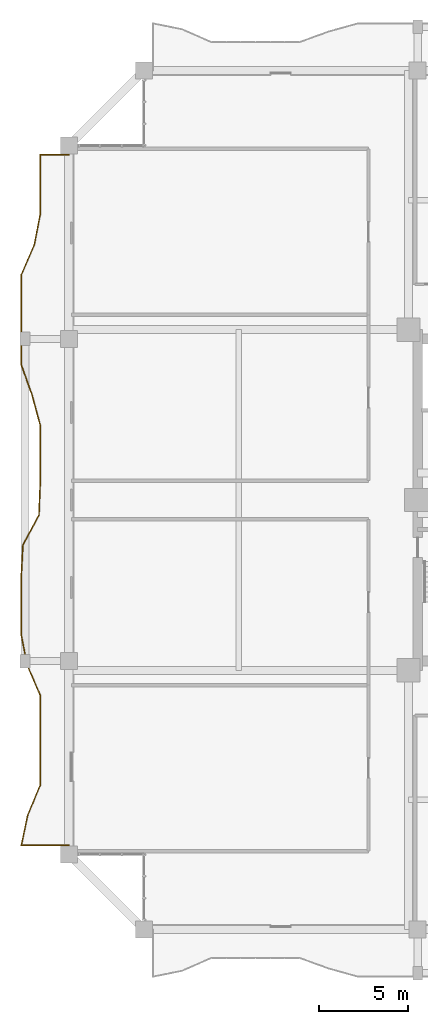
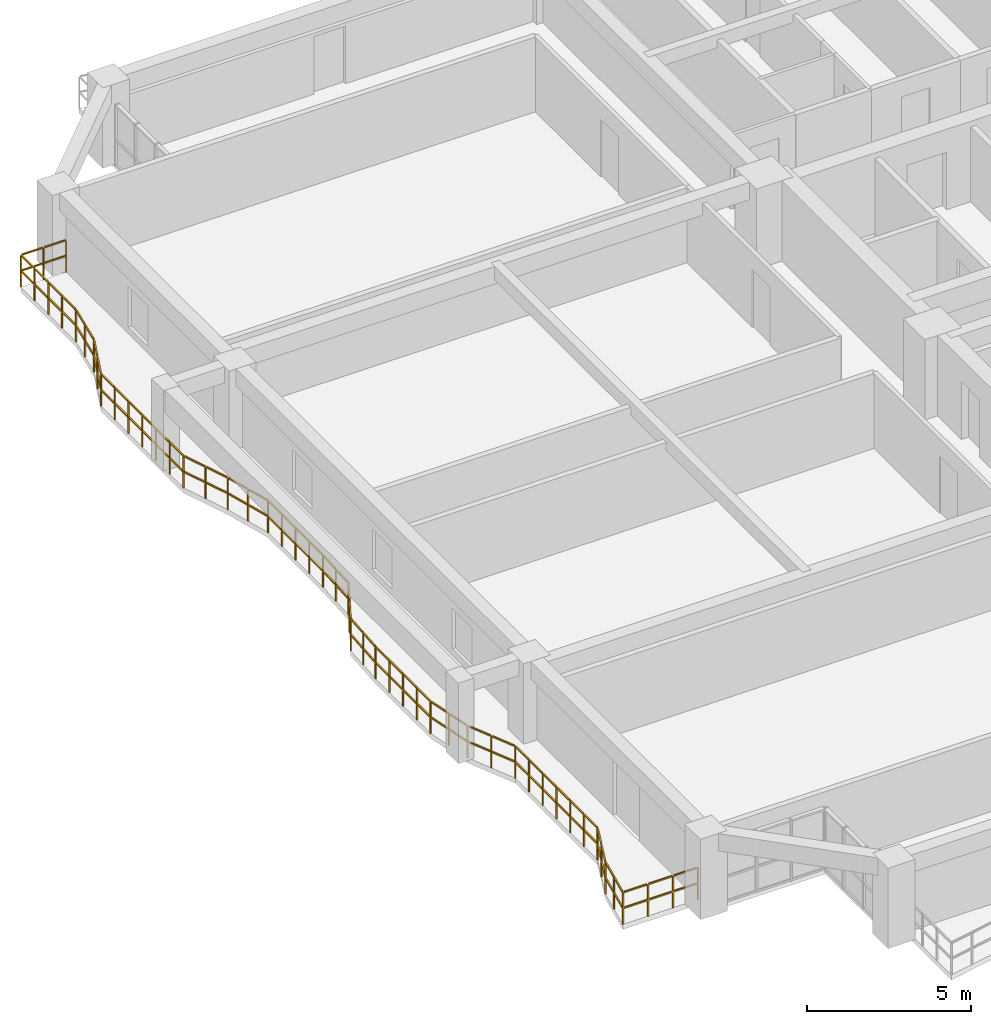
# One storey, part 21 of 24: 1 railing.
"""IFC4 building model written with IfcOpenShell, lengths in metres."""

import ifcopenshell
import ifcopenshell.guid

model = None  # the IFC model being written
_history = None  # IfcOwnerHistory: only IFC2X3 demands one
_inside = {}  # id of a spatial element -> (the spatial element, [elements in it])
_under = {}  # id of a project, library or spatial element -> (it, [spatial elements below it])
_declared = {}  # id of a project -> (the project, [libraries it declares])
_typed = {}  # id of a type object -> (the type object, [elements of that type])
_made_of = {}  # id of a material, layer set ... -> (it, [elements and type objects made of it])


def new_model(schema):
    """Start an empty IFC model of exactly this schema.

    Asked for "IFC4X3", IfcOpenShell would pick the latest addendum, in which some entities
    have other attributes; the version numbers below select the first issue.
    IFC2X3 requires an IfcOwnerHistory on every rooted entity: one is made here for all.
    """
    global model, _history
    if schema == "IFC4X3":
        model = ifcopenshell.file(schema_version=(4, 3, 0, 0))
    else:
        model = ifcopenshell.file(schema=schema)
    _inside.clear()
    _under.clear()
    _declared.clear()
    _typed.clear()
    _made_of.clear()
    _history = None
    if model.schema == "IFC2X3":
        org = make("IfcOrganization", Name="unknown")
        user = make(
            "IfcPersonAndOrganization",
            ThePerson=make("IfcPerson", FamilyName="unknown"),
            TheOrganization=org,
        )
        app = make(
            "IfcApplication",
            ApplicationDeveloper=org,
            Version="unknown",
            ApplicationFullName="unknown",
            ApplicationIdentifier="unknown",
        )
        _history = make(
            "IfcOwnerHistory",
            OwningUser=user,
            OwningApplication=app,
            ChangeAction="ADDED",
            CreationDate=0,
        )
    return model


def make(cls, **values):
    """One entity of the class cls with the attributes given. An attribute that is None is left unset."""
    return model.create_entity(
        cls, **{name: value for name, value in values.items() if value is not None}
    )


def rooted(cls, **values):
    """An entity with a GlobalId (a new one), such as an element, a storey or a relation."""
    return make(cls, GlobalId=ifcopenshell.guid.new(), OwnerHistory=_history, **values)


def si_unit(unit_type, name, prefix=None):
    """IfcSIUnit, for example si_unit("LENGTHUNIT", "METRE", prefix="MILLI")."""
    return make("IfcSIUnit", UnitType=unit_type, Prefix=prefix, Name=name)


def assignment(units):
    """IfcUnitAssignment: the units of a project."""
    return None if units is None else make("IfcUnitAssignment", Units=units)


def point(xyz):
    """IfcCartesianPoint."""
    return None if xyz is None else make("IfcCartesianPoint", Coordinates=xyz)


def direction(xyz):
    """IfcDirection."""
    return None if xyz is None else make("IfcDirection", DirectionRatios=xyz)


def frame(location, z_axis=None, x_axis=None):
    """IfcAxis2Placement3D, a coordinate frame: its origin and axes. An axis left out is left unset."""
    return make(
        "IfcAxis2Placement3D",
        Location=point(location),
        Axis=direction(z_axis),
        RefDirection=direction(x_axis),
    )


def frame_2d(location, x_axis=None):
    """IfcAxis2Placement2D, a coordinate frame in the plane: its origin and x axis."""
    return make(
        "IfcAxis2Placement2D", Location=point(location), RefDirection=direction(x_axis)
    )


def origin():
    """The frame at (0, 0, 0) with its axes left unset."""
    return frame((0.0, 0.0, 0.0))


def origin_2d():
    """The frame at (0, 0) in the plane with its x axis left unset."""
    return frame_2d((0.0, 0.0))


def place(relative_to, where):
    """IfcLocalPlacement: puts the frame where relative to a parent placement (None: the world)."""
    return make(
        "IfcLocalPlacement", PlacementRelTo=relative_to, RelativePlacement=where
    )


def context(
    kind, dimensions, precision=None, world=None, true_north=None, identifier=None
):
    """IfcGeometricRepresentationContext, for example the 3D "Model" context."""
    return make(
        "IfcGeometricRepresentationContext",
        ContextIdentifier=identifier,
        ContextType=kind,
        CoordinateSpaceDimension=dimensions,
        Precision=precision,
        WorldCoordinateSystem=world,
        TrueNorth=true_north,
    )


def subcontext(parent, identifier, kind, view, scale=None):
    """IfcGeometricRepresentationSubContext, for example "Body" below "Model"."""
    return make(
        "IfcGeometricRepresentationSubContext",
        ContextIdentifier=identifier,
        ContextType=kind,
        ParentContext=parent,
        TargetScale=scale,
        TargetView=view,
    )


def project(units=None, contexts=None):
    """IfcProject with its units and contexts."""
    return rooted(
        "IfcProject",
        Name="project",
        RepresentationContexts=contexts,
        UnitsInContext=assignment(units),
    )


def spatial(cls, under=None, at=None, **own):
    """A site, building, storey or space (cls), placed at a placement, below another one or the project."""
    s = rooted(cls, ObjectPlacement=at, **own)
    if under is not None:
        _under.setdefault(under.id(), (under, []))[1].append(s)
    return s


def profile(cls, at=None, kind="AREA", **sizes):
    """A parametric profile (cls). Its sizes go by their IFC names, for example OverallWidth=200.0."""
    return make(cls, ProfileType=kind, Position=at, **sizes)


def rectangle(**sizes):
    """IfcRectangleProfileDef."""
    return profile("IfcRectangleProfileDef", **sizes)


def extrude(swept, where, along, depth):
    """IfcExtrudedAreaSolid: the profile swept, set in the frame where, extruded along a direction by depth."""
    return make(
        "IfcExtrudedAreaSolid",
        SweptArea=swept,
        Position=where,
        ExtrudedDirection=direction(along),
        Depth=depth,
    )


def shape(context_of_items, identifier, shape_type, items):
    """IfcShapeRepresentation: the items that make up one representation, for example the "Body"."""
    return make(
        "IfcShapeRepresentation",
        ContextOfItems=context_of_items,
        RepresentationIdentifier=identifier,
        RepresentationType=shape_type,
        Items=items,
    )


def material(Name=None, Category=None):
    """IfcMaterial."""
    return make("IfcMaterial", Name=Name, Category=Category)


def made_of(thing, what):
    """Note that an element or type object is made of a material, layer set ...; save() writes the relation."""
    if what is not None:
        _made_of.setdefault(what.id(), (what, []))[1].append(thing)
    return thing


def type_object(cls, material=None, **own):
    """A type object (cls), such as IfcWallType, which elements share."""
    return made_of(rooted(cls, **own), material)


def element(
    cls,
    number,
    at=None,
    inside=None,
    cuts=None,
    type_object=None,
    material=None,
    context=None,
    identifier="Body",
    shape_type=None,
    held_by="IfcProductDefinitionShape",
    body=None,
    shapes=None,
    **own,
):
    """One element of the class cls, such as IfcWall. Its Tag is "e" and its number.

    at: its placement. inside: the storey or other place that contains it. cuts: it is an
    opening in that element (IfcRelVoidsElement). A single representation is given by context,
    identifier, shape_type and body (its items); several are given by shapes. held_by: the class
    of the entity that holds the representations. save() writes the other relations.
    """
    e = rooted(cls, Tag="e%d" % number, ObjectPlacement=at, **own)
    if body is not None:
        shapes = [shape(context, identifier, shape_type, body)]
    if shapes is not None:
        e.Representation = make(held_by, Representations=shapes)
    if inside is not None:
        _inside.setdefault(inside.id(), (inside, []))[1].append(e)
    if cuts is not None:
        rooted(
            "IfcRelVoidsElement", RelatingBuildingElement=cuts, RelatedOpeningElement=e
        )
    if type_object is not None:
        _typed.setdefault(type_object.id(), (type_object, []))[1].append(e)
    return made_of(e, material)


def aggregate(whole, parts):
    """IfcRelAggregates: a whole, such as a stair, and the parts it consists of."""
    return rooted("IfcRelAggregates", RelatingObject=whole, RelatedObjects=parts)


def save(model, path):
    """Write the relations noted so far, then the file.

    IfcRelAggregates (storeys below a building ...), IfcRelContainedInSpatialStructure (elements
    in a storey), IfcRelDefinesByType, IfcRelAssociatesMaterial and IfcRelDeclares: one each for
    every whole, place, type object, material and project.
    """
    for whole, parts in _under.values():
        aggregate(whole, parts)
    for where, things in _inside.values():
        rooted(
            "IfcRelContainedInSpatialStructure",
            RelatedElements=things,
            RelatingStructure=where,
        )
    for kind, things in _typed.values():
        rooted("IfcRelDefinesByType", RelatedObjects=things, RelatingType=kind)
    for what, things in _made_of.values():
        rooted("IfcRelAssociatesMaterial", RelatedObjects=things, RelatingMaterial=what)
    for by, libraries in _declared.values():
        rooted("IfcRelDeclares", RelatingContext=by, RelatedDefinitions=libraries)
    model.write(path)


model = new_model("IFC4")

# Units and contexts
model_context = context("Model", 3, precision=1e-05, world=origin(), true_north=direction((0.0, 1.0)))
body_context = subcontext(model_context, "Body", "Model", "MODEL_VIEW")
ifc_project = project(units=[si_unit("LENGTHUNIT", "METRE"), si_unit("AREAUNIT", "SQUARE_METRE"), si_unit("VOLUMEUNIT", "CUBIC_METRE"), si_unit("PLANEANGLEUNIT", "RADIAN"), si_unit("MASSUNIT", "GRAM", prefix="KILO")], contexts=[model_context])

# Site, building, storey
site_placement = place(None, origin())
site = spatial("IfcSite", under=ifc_project, at=site_placement, CompositionType="ELEMENT")
building_placement = place(site_placement, origin())
building = spatial("IfcBuilding", under=site, at=building_placement, Name="Saelheon Loggia Tower", CompositionType="ELEMENT")
storey_placement = place(building_placement, frame((0.0, 0.0, 98.85009765625)))
storey = spatial("IfcBuildingStorey", under=building, at=storey_placement, Name="L31", CompositionType="ELEMENT", Elevation=98.85009765625)

# Railing
ifc_material = material(Name="Architectural Precast Concrete and Laminated Glass Guard", Category="concrete")
railing_type = type_object("IfcRailingType", Name="Guard_Loggia_RL_LOG", PredefinedType="BALUSTRADE", material=ifc_material)
railing_placement = place(storey_placement, frame((12.0, 46.300048828125, 0.0)))
element("IfcRailing", 1, at=railing_placement, inside=storey, type_object=railing_type, Name="L31 West Loggia Balustrade", PredefinedType="BALUSTRADE", context=body_context, shape_type="SweptSolid", body=[
    extrude(rectangle(XDim=0.048095703125, YDim=0.048095703125, at=origin_2d()), frame((-0.033203125, 0.0, 1.19580078125), z_axis=(-1.0, 0.0, 0.0), x_axis=(0.0, -1.0, 0.0)), (0.0, 0.0, 1.0), 0.733642578125),
    extrude(rectangle(XDim=0.048095703125, YDim=0.048095703125, at=origin_2d()), frame((-0.033203125, 0.0, 0.60986328125), z_axis=(-1.0, 0.0, 0.0), x_axis=(0.0, -1.0, 0.0)), (0.0, 0.0, 1.0), 0.733642578125),
    extrude(rectangle(XDim=0.048095703125, YDim=0.048095703125, at=origin_2d()), frame((-0.833251953125, 0.0, 1.19580078125), z_axis=(-1.0, 0.0, 0.0), x_axis=(0.0, -1.0, 0.0)), (0.0, 0.0, 1.0), 0.733642578125),
    extrude(rectangle(XDim=0.048095703125, YDim=0.048095703125, at=origin_2d()), frame((-0.833251953125, 0.0, 0.60986328125), z_axis=(-1.0, 0.0, 0.0), x_axis=(0.0, -1.0, 0.0)), (0.0, 0.0, 1.0), 0.733642578125),
    extrude(rectangle(XDim=0.048095703125, YDim=0.048095703125, at=origin_2d()), frame((-1.60009765625, -0.033203125, 1.19580078125), z_axis=(0.0, -1.0, 0.0), x_axis=(1.0, 0.0, 0.0)), (0.0, 0.0, 1.0), 0.772705078125),
    extrude(rectangle(XDim=0.048095703125, YDim=0.048095703125, at=origin_2d()), frame((-1.60009765625, -0.033203125, 0.60986328125), z_axis=(0.0, -1.0, 0.0), x_axis=(1.0, 0.0, 0.0)), (0.0, 0.0, 1.0), 0.772705078125),
    extrude(rectangle(XDim=0.048095703125, YDim=0.048095703125, at=origin_2d()), frame((-1.60009765625, -0.87255859375, 1.19580078125), z_axis=(0.0, -1.0, 0.0), x_axis=(1.0, 0.0, 0.0)), (0.0, 0.0, 1.0), 0.772705078125),
    extrude(rectangle(XDim=0.048095703125, YDim=0.048095703125, at=origin_2d()), frame((-1.60009765625, -0.87255859375, 0.60986328125), z_axis=(0.0, -1.0, 0.0), x_axis=(1.0, 0.0, 0.0)), (0.0, 0.0, 1.0), 0.772705078125),
    extrude(rectangle(XDim=0.048095703125, YDim=0.048095703125, at=origin_2d()), frame((-1.60009765625, -1.711669921875, 1.19580078125), z_axis=(0.0, -1.0, 0.0), x_axis=(1.0, 0.0, 0.0)), (0.0, 0.0, 1.0), 0.7724609375),
    extrude(rectangle(XDim=0.048095703125, YDim=0.048095703125, at=origin_2d()), frame((-1.60009765625, -1.711669921875, 0.60986328125), z_axis=(0.0, -1.0, 0.0), x_axis=(1.0, 0.0, 0.0)), (0.0, 0.0, 1.0), 0.7724609375),
    extrude(rectangle(XDim=0.048095703125, YDim=0.048095703125, at=origin_2d()), frame((-1.60009765625, -2.55078125, 1.19580078125), z_axis=(0.0, -1.0, 0.0), x_axis=(1.0, 0.0, 0.0)), (0.0, 0.0, 1.0), 0.7724609375),
    extrude(rectangle(XDim=0.048095703125, YDim=0.048095703125, at=origin_2d()), frame((-1.60009765625, -2.55078125, 0.60986328125), z_axis=(0.0, -1.0, 0.0), x_axis=(1.0, 0.0, 0.0)), (0.0, 0.0, 1.0), 0.7724609375),
    extrude(rectangle(XDim=0.048095703125, YDim=0.048095703125, at=origin_2d()), frame((-1.6064453125, -3.38916015625, 1.19580078125), z_axis=(-0.190208387004, -0.981743739228, 0.0), x_axis=(0.981743739228, -0.190208387004, 0.0)), (0.0, 0.0, 1.0), 0.788330078125),
    extrude(rectangle(XDim=0.048095703125, YDim=0.048095703125, at=origin_2d()), frame((-1.6064453125, -3.38916015625, 0.60986328125), z_axis=(-0.190208387004, -0.981743739228, 0.0), x_axis=(0.981743739228, -0.190208387004, 0.0)), (0.0, 0.0, 1.0), 0.788330078125),
    extrude(rectangle(XDim=0.048095703125, YDim=0.048095703125, at=origin_2d()), frame((-1.76904296875, -4.228271484375, 1.19580078125), z_axis=(-0.190208387004, -0.981743739228, 0.0), x_axis=(0.981743739228, -0.190208387004, 0.0)), (0.0, 0.0, 1.0), 0.788330078125),
    extrude(rectangle(XDim=0.048095703125, YDim=0.048095703125, at=origin_2d()), frame((-1.76904296875, -4.228271484375, 0.60986328125), z_axis=(-0.190208387004, -0.981743739228, 0.0), x_axis=(0.981743739228, -0.190208387004, 0.0)), (0.0, 0.0, 1.0), 0.788330078125),
    extrude(rectangle(XDim=0.048095703125, YDim=0.048095703125, at=origin_2d()), frame((-1.9384765625, -5.0654296875, 1.19580078125), z_axis=(-0.396400198959, -0.918077819286, 0.0), x_axis=(0.918077819286, -0.396400198959, 0.0)), (0.0, 0.0, 1.0), 0.847412109375),
    extrude(rectangle(XDim=0.048095703125, YDim=0.048095703125, at=origin_2d()), frame((-1.9384765625, -5.0654296875, 0.60986328125), z_axis=(-0.396400198959, -0.918077819286, 0.0), x_axis=(0.918077819286, -0.396400198959, 0.0)), (0.0, 0.0, 1.0), 0.847412109375),
    extrude(rectangle(XDim=0.048095703125, YDim=0.048095703125, at=origin_2d()), frame((-2.30078125, -5.904541015625, 1.19580078125), z_axis=(-0.396400198959, -0.918077819286, 0.0), x_axis=(0.918077819286, -0.396400198959, 0.0)), (0.0, 0.0, 1.0), 0.847412109375),
    extrude(rectangle(XDim=0.048095703125, YDim=0.048095703125, at=origin_2d()), frame((-2.30078125, -5.904541015625, 0.60986328125), z_axis=(-0.396400198959, -0.918077819286, 0.0), x_axis=(0.918077819286, -0.396400198959, 0.0)), (0.0, 0.0, 1.0), 0.847412109375),
    extrude(rectangle(XDim=0.048095703125, YDim=0.048095703125, at=origin_2d()), frame((-2.64990234375, -6.746337890625, 1.19580078125), z_axis=(0.0, -1.0, 0.0), x_axis=(1.0, 0.0, 0.0)), (0.0, 0.0, 1.0), 0.772705078125),
    extrude(rectangle(XDim=0.048095703125, YDim=0.048095703125, at=origin_2d()), frame((-2.64990234375, -6.746337890625, 0.60986328125), z_axis=(0.0, -1.0, 0.0), x_axis=(1.0, 0.0, 0.0)), (0.0, 0.0, 1.0), 0.772705078125),
    extrude(rectangle(XDim=0.048095703125, YDim=0.048095703125, at=origin_2d()), frame((-2.64990234375, -7.58544921875, 1.19580078125), z_axis=(0.0, -1.0, 0.0), x_axis=(1.0, 0.0, 0.0)), (0.0, 0.0, 1.0), 0.772705078125),
    extrude(rectangle(XDim=0.048095703125, YDim=0.048095703125, at=origin_2d()), frame((-2.64990234375, -7.58544921875, 0.60986328125), z_axis=(0.0, -1.0, 0.0), x_axis=(1.0, 0.0, 0.0)), (0.0, 0.0, 1.0), 0.772705078125),
    extrude(rectangle(XDim=0.048095703125, YDim=0.048095703125, at=origin_2d()), frame((-2.64990234375, -8.424560546875, 1.19580078125), z_axis=(0.0, -1.0, 0.0), x_axis=(1.0, 0.0, 0.0)), (0.0, 0.0, 1.0), 0.772705078125),
    extrude(rectangle(XDim=0.048095703125, YDim=0.048095703125, at=origin_2d()), frame((-2.64990234375, -8.424560546875, 0.60986328125), z_axis=(0.0, -1.0, 0.0), x_axis=(1.0, 0.0, 0.0)), (0.0, 0.0, 1.0), 0.772705078125),
    extrude(rectangle(XDim=0.048095703125, YDim=0.048095703125, at=origin_2d()), frame((-2.64990234375, -9.263671875, 1.19580078125), z_axis=(0.0, -1.0, 0.0), x_axis=(1.0, 0.0, 0.0)), (0.0, 0.0, 1.0), 0.772705078125),
    extrude(rectangle(XDim=0.048095703125, YDim=0.048095703125, at=origin_2d()), frame((-2.64990234375, -9.263671875, 0.60986328125), z_axis=(0.0, -1.0, 0.0), x_axis=(1.0, 0.0, 0.0)), (0.0, 0.0, 1.0), 0.772705078125),
    extrude(rectangle(XDim=0.048095703125, YDim=0.048095703125, at=origin_2d()), frame((-2.64990234375, -10.102783203125, 1.19580078125), z_axis=(0.0, -1.0, 0.0), x_axis=(1.0, 0.0, 0.0)), (0.0, 0.0, 1.0), 0.772705078125),
    extrude(rectangle(XDim=0.048095703125, YDim=0.048095703125, at=origin_2d()), frame((-2.64990234375, -10.102783203125, 0.60986328125), z_axis=(0.0, -1.0, 0.0), x_axis=(1.0, 0.0, 0.0)), (0.0, 0.0, 1.0), 0.772705078125),
    extrude(rectangle(XDim=0.048095703125, YDim=0.048095703125, at=origin_2d()), frame((-2.64990234375, -10.94189453125, 1.19580078125), z_axis=(0.0, -1.0, 0.0), x_axis=(1.0, 0.0, 0.0)), (0.0, 0.0, 1.0), 0.772705078125),
    extrude(rectangle(XDim=0.048095703125, YDim=0.048095703125, at=origin_2d()), frame((-2.64990234375, -10.94189453125, 0.60986328125), z_axis=(0.0, -1.0, 0.0), x_axis=(1.0, 0.0, 0.0)), (0.0, 0.0, 1.0), 0.772705078125),
    extrude(rectangle(XDim=0.048095703125, YDim=0.048095703125, at=origin_2d()), frame((-2.638671875, -11.779052734375, 1.19580078125), z_axis=(0.334468754842, -0.942406839976, 0.0), x_axis=(0.942406839976, 0.334468754842, 0.0)), (0.0, 0.0, 1.0), 0.823974609375),
    extrude(rectangle(XDim=0.048095703125, YDim=0.048095703125, at=origin_2d()), frame((-2.638671875, -11.779052734375, 0.60986328125), z_axis=(0.334468754842, -0.942406839976, 0.0), x_axis=(0.942406839976, 0.334468754842, 0.0)), (0.0, 0.0, 1.0), 0.823974609375),
    extrude(rectangle(XDim=0.048095703125, YDim=0.048095703125, at=origin_2d()), frame((-2.3408203125, -12.618408203125, 1.19580078125), z_axis=(0.334468754842, -0.942406839976, 0.0), x_axis=(0.942406839976, 0.334468754842, 0.0)), (0.0, 0.0, 1.0), 0.823974609375),
    extrude(rectangle(XDim=0.048095703125, YDim=0.048095703125, at=origin_2d()), frame((-2.3408203125, -12.618408203125, 0.60986328125), z_axis=(0.334468754842, -0.942406839976, 0.0), x_axis=(0.942406839976, 0.334468754842, 0.0)), (0.0, 0.0, 1.0), 0.823974609375),
    extrude(rectangle(XDim=0.048095703125, YDim=0.048095703125, at=origin_2d()), frame((-2.04541015625, -13.458251953125, 1.19580078125), z_axis=(0.261227378057, -0.965277295368, 0.0), x_axis=(0.965277295368, 0.261227378057, 0.0)), (0.0, 0.0, 1.0), 0.802734375),
    extrude(rectangle(XDim=0.048095703125, YDim=0.048095703125, at=origin_2d()), frame((-2.04541015625, -13.458251953125, 0.60986328125), z_axis=(0.261227378057, -0.965277295368, 0.0), x_axis=(0.965277295368, 0.261227378057, 0.0)), (0.0, 0.0, 1.0), 0.802734375),
    extrude(rectangle(XDim=0.048095703125, YDim=0.048095703125, at=origin_2d()), frame((-1.818359375, -14.29736328125, 1.19580078125), z_axis=(0.261227378057, -0.965277295368, 0.0), x_axis=(0.965277295368, 0.261227378057, 0.0)), (0.0, 0.0, 1.0), 0.802734375),
    extrude(rectangle(XDim=0.048095703125, YDim=0.048095703125, at=origin_2d()), frame((-1.818359375, -14.29736328125, 0.60986328125), z_axis=(0.261227378057, -0.965277295368, 0.0), x_axis=(0.965277295368, 0.261227378057, 0.0)), (0.0, 0.0, 1.0), 0.802734375),
    extrude(rectangle(XDim=0.048095703125, YDim=0.048095703125, at=origin_2d()), frame((-1.60009765625, -15.137451171875, 1.19580078125), z_axis=(0.0, -1.0, 0.0), x_axis=(1.0, 0.0, 0.0)), (0.0, 0.0, 1.0), 0.772705078125),
    extrude(rectangle(XDim=0.048095703125, YDim=0.048095703125, at=origin_2d()), frame((-1.60009765625, -15.137451171875, 0.60986328125), z_axis=(0.0, -1.0, 0.0), x_axis=(1.0, 0.0, 0.0)), (0.0, 0.0, 1.0), 0.772705078125),
    extrude(rectangle(XDim=0.048095703125, YDim=0.048095703125, at=origin_2d()), frame((-1.60009765625, -15.976806640625, 1.19580078125), z_axis=(0.0, -1.0, 0.0), x_axis=(1.0, 0.0, 0.0)), (0.0, 0.0, 1.0), 0.772705078125),
    extrude(rectangle(XDim=0.048095703125, YDim=0.048095703125, at=origin_2d()), frame((-1.60009765625, -15.976806640625, 0.60986328125), z_axis=(0.0, -1.0, 0.0), x_axis=(1.0, 0.0, 0.0)), (0.0, 0.0, 1.0), 0.772705078125),
    extrude(rectangle(XDim=0.048095703125, YDim=0.048095703125, at=origin_2d()), frame((-1.60009765625, -16.81591796875, 1.19580078125), z_axis=(0.0, -1.0, 0.0), x_axis=(1.0, 0.0, 0.0)), (0.0, 0.0, 1.0), 0.772705078125),
    extrude(rectangle(XDim=0.048095703125, YDim=0.048095703125, at=origin_2d()), frame((-1.60009765625, -16.81591796875, 0.60986328125), z_axis=(0.0, -1.0, 0.0), x_axis=(1.0, 0.0, 0.0)), (0.0, 0.0, 1.0), 0.772705078125),
    extrude(rectangle(XDim=0.048095703125, YDim=0.048095703125, at=origin_2d()), frame((-1.60009765625, -17.655029296875, 1.19580078125), z_axis=(0.0, -1.0, 0.0), x_axis=(1.0, 0.0, 0.0)), (0.0, 0.0, 1.0), 0.772705078125),
    extrude(rectangle(XDim=0.048095703125, YDim=0.048095703125, at=origin_2d()), frame((-1.60009765625, -17.655029296875, 0.60986328125), z_axis=(0.0, -1.0, 0.0), x_axis=(1.0, 0.0, 0.0)), (0.0, 0.0, 1.0), 0.772705078125),
    extrude(rectangle(XDim=0.048095703125, YDim=0.048095703125, at=origin_2d()), frame((-1.601318359375, -18.494140625, 1.19580078125), z_axis=(-0.039103035271, -0.999235183844, 0.0), x_axis=(0.999235183844, -0.039103035271, 0.0)), (0.0, 0.0, 1.0), 0.773193359375),
    extrude(rectangle(XDim=0.048095703125, YDim=0.048095703125, at=origin_2d()), frame((-1.601318359375, -18.494140625, 0.60986328125), z_axis=(-0.039103035271, -0.999235183844, 0.0), x_axis=(0.999235183844, -0.039103035271, 0.0)), (0.0, 0.0, 1.0), 0.773193359375),
    extrude(rectangle(XDim=0.048095703125, YDim=0.048095703125, at=origin_2d()), frame((-1.63427734375, -19.333251953125, 1.19580078125), z_axis=(-0.039103035271, -0.999235183844, 0.0), x_axis=(0.999235183844, -0.039103035271, 0.0)), (0.0, 0.0, 1.0), 0.773193359375),
    extrude(rectangle(XDim=0.048095703125, YDim=0.048095703125, at=origin_2d()), frame((-1.63427734375, -19.333251953125, 0.60986328125), z_axis=(-0.039103035271, -0.999235183844, 0.0), x_axis=(0.999235183844, -0.039103035271, 0.0)), (0.0, 0.0, 1.0), 0.773193359375),
    extrude(rectangle(XDim=0.048095703125, YDim=0.048095703125, at=origin_2d()), frame((-1.681396484375, -20.16845703125, 1.19580078125), z_axis=(-0.470474964031, -0.882413343179, 0.0), x_axis=(0.882413343179, -0.470474964031, 0.0)), (0.0, 0.0, 1.0), 0.884521484375),
    extrude(rectangle(XDim=0.048095703125, YDim=0.048095703125, at=origin_2d()), frame((-1.681396484375, -20.16845703125, 0.60986328125), z_axis=(-0.470474964031, -0.882413343179, 0.0), x_axis=(0.882413343179, -0.470474964031, 0.0)), (0.0, 0.0, 1.0), 0.884521484375),
    extrude(rectangle(XDim=0.048095703125, YDim=0.048095703125, at=origin_2d()), frame((-2.12890625, -21.007568359375, 1.19580078125), z_axis=(-0.470474964031, -0.882413343179, 0.0), x_axis=(0.882413343179, -0.470474964031, 0.0)), (0.0, 0.0, 1.0), 0.884521484375),
    extrude(rectangle(XDim=0.048095703125, YDim=0.048095703125, at=origin_2d()), frame((-2.12890625, -21.007568359375, 0.60986328125), z_axis=(-0.470474964031, -0.882413343179, 0.0), x_axis=(0.882413343179, -0.470474964031, 0.0)), (0.0, 0.0, 1.0), 0.884521484375),
    extrude(rectangle(XDim=0.048095703125, YDim=0.048095703125, at=origin_2d()), frame((-2.562255859375, -21.8505859375, 1.19580078125), z_axis=(-0.053161084744, -0.998585949765, 0.0), x_axis=(0.998585949765, -0.053161084744, 0.0)), (0.0, 0.0, 1.0), 0.77392578125),
    extrude(rectangle(XDim=0.048095703125, YDim=0.048095703125, at=origin_2d()), frame((-2.562255859375, -21.8505859375, 0.60986328125), z_axis=(-0.053161084744, -0.998585949765, 0.0), x_axis=(0.998585949765, -0.053161084744, 0.0)), (0.0, 0.0, 1.0), 0.77392578125),
    extrude(rectangle(XDim=0.048095703125, YDim=0.048095703125, at=origin_2d()), frame((-2.60693359375, -22.689697265625, 1.19580078125), z_axis=(-0.053161084744, -0.998585949765, 0.0), x_axis=(0.998585949765, -0.053161084744, 0.0)), (0.0, 0.0, 1.0), 0.77392578125),
    extrude(rectangle(XDim=0.048095703125, YDim=0.048095703125, at=origin_2d()), frame((-2.60693359375, -22.689697265625, 0.60986328125), z_axis=(-0.053161084744, -0.998585949765, 0.0), x_axis=(0.998585949765, -0.053161084744, 0.0)), (0.0, 0.0, 1.0), 0.77392578125),
    extrude(rectangle(XDim=0.048095703125, YDim=0.048095703125, at=origin_2d()), frame((-2.64990234375, -23.529052734375, 1.19580078125), z_axis=(0.0, -1.0, 0.0), x_axis=(1.0, 0.0, 0.0)), (0.0, 0.0, 1.0), 0.7724609375),
    extrude(rectangle(XDim=0.048095703125, YDim=0.048095703125, at=origin_2d()), frame((-2.64990234375, -23.529052734375, 0.60986328125), z_axis=(0.0, -1.0, 0.0), x_axis=(1.0, 0.0, 0.0)), (0.0, 0.0, 1.0), 0.7724609375),
    extrude(rectangle(XDim=0.048095703125, YDim=0.048095703125, at=origin_2d()), frame((-2.64990234375, -24.3681640625, 1.19580078125), z_axis=(0.0, -1.0, 0.0), x_axis=(1.0, 0.0, 0.0)), (0.0, 0.0, 1.0), 0.7724609375),
    extrude(rectangle(XDim=0.048095703125, YDim=0.048095703125, at=origin_2d()), frame((-2.64990234375, -24.3681640625, 0.60986328125), z_axis=(0.0, -1.0, 0.0), x_axis=(1.0, 0.0, 0.0)), (0.0, 0.0, 1.0), 0.7724609375),
    extrude(rectangle(XDim=0.048095703125, YDim=0.048095703125, at=origin_2d()), frame((-2.64990234375, -25.20703125, 1.19580078125), z_axis=(0.0, -1.0, 0.0), x_axis=(1.0, 0.0, 0.0)), (0.0, 0.0, 1.0), 0.772705078125),
    extrude(rectangle(XDim=0.048095703125, YDim=0.048095703125, at=origin_2d()), frame((-2.64990234375, -25.20703125, 0.60986328125), z_axis=(0.0, -1.0, 0.0), x_axis=(1.0, 0.0, 0.0)), (0.0, 0.0, 1.0), 0.772705078125),
    extrude(rectangle(XDim=0.048095703125, YDim=0.048095703125, at=origin_2d()), frame((-2.64990234375, -26.04638671875, 1.19580078125), z_axis=(0.0, -1.0, 0.0), x_axis=(1.0, 0.0, 0.0)), (0.0, 0.0, 1.0), 0.772705078125),
    extrude(rectangle(XDim=0.048095703125, YDim=0.048095703125, at=origin_2d()), frame((-2.64990234375, -26.04638671875, 0.60986328125), z_axis=(0.0, -1.0, 0.0), x_axis=(1.0, 0.0, 0.0)), (0.0, 0.0, 1.0), 0.772705078125),
    extrude(rectangle(XDim=0.048095703125, YDim=0.048095703125, at=origin_2d()), frame((-2.6435546875, -26.885009765625, 1.19580078125), z_axis=(0.191060757648, -0.981578212313, 0.0), x_axis=(0.981578212313, 0.191060757648, 0.0)), (0.0, 0.0, 1.0), 0.788330078125),
    extrude(rectangle(XDim=0.048095703125, YDim=0.048095703125, at=origin_2d()), frame((-2.6435546875, -26.885009765625, 0.60986328125), z_axis=(0.191060757648, -0.981578212313, 0.0), x_axis=(0.981578212313, 0.191060757648, 0.0)), (0.0, 0.0, 1.0), 0.788330078125),
    extrude(rectangle(XDim=0.048095703125, YDim=0.048095703125, at=origin_2d()), frame((-2.480224609375, -27.72412109375, 1.19580078125), z_axis=(0.191060757648, -0.981578212313, 0.0), x_axis=(0.981578212313, 0.191060757648, 0.0)), (0.0, 0.0, 1.0), 0.788330078125),
    extrude(rectangle(XDim=0.048095703125, YDim=0.048095703125, at=origin_2d()), frame((-2.480224609375, -27.72412109375, 0.60986328125), z_axis=(0.191060757648, -0.981578212313, 0.0), x_axis=(0.981578212313, 0.191060757648, 0.0)), (0.0, 0.0, 1.0), 0.788330078125),
    extrude(rectangle(XDim=0.048095703125, YDim=0.048095703125, at=origin_2d()), frame((-2.31005859375, -28.56103515625, 1.19580078125), z_axis=(0.395724447391, -0.918369294857, 0.0), x_axis=(0.918369294857, 0.395724447391, 0.0)), (0.0, 0.0, 1.0), 0.84716796875),
    extrude(rectangle(XDim=0.048095703125, YDim=0.048095703125, at=origin_2d()), frame((-2.31005859375, -28.56103515625, 0.60986328125), z_axis=(0.395724447391, -0.918369294857, 0.0), x_axis=(0.918369294857, 0.395724447391, 0.0)), (0.0, 0.0, 1.0), 0.84716796875),
    extrude(rectangle(XDim=0.048095703125, YDim=0.048095703125, at=origin_2d()), frame((-1.948486328125, -29.400146484375, 1.19580078125), z_axis=(0.395724447391, -0.918369294857, 0.0), x_axis=(0.918369294857, 0.395724447391, 0.0)), (0.0, 0.0, 1.0), 0.84716796875),
    extrude(rectangle(XDim=0.048095703125, YDim=0.048095703125, at=origin_2d()), frame((-1.948486328125, -29.400146484375, 0.60986328125), z_axis=(0.395724447391, -0.918369294857, 0.0), x_axis=(0.918369294857, 0.395724447391, 0.0)), (0.0, 0.0, 1.0), 0.84716796875),
    extrude(rectangle(XDim=0.048095703125, YDim=0.048095703125, at=origin_2d()), frame((-1.60009765625, -30.241943359375, 1.19580078125), z_axis=(0.0, -1.0, 0.0), x_axis=(1.0, 0.0, 0.0)), (0.0, 0.0, 1.0), 0.772705078125),
    extrude(rectangle(XDim=0.048095703125, YDim=0.048095703125, at=origin_2d()), frame((-1.60009765625, -30.241943359375, 0.60986328125), z_axis=(0.0, -1.0, 0.0), x_axis=(1.0, 0.0, 0.0)), (0.0, 0.0, 1.0), 0.772705078125),
    extrude(rectangle(XDim=0.048095703125, YDim=0.048095703125, at=origin_2d()), frame((-1.60009765625, -31.0810546875, 1.19580078125), z_axis=(0.0, -1.0, 0.0), x_axis=(1.0, 0.0, 0.0)), (0.0, 0.0, 1.0), 0.772705078125),
    extrude(rectangle(XDim=0.048095703125, YDim=0.048095703125, at=origin_2d()), frame((-1.60009765625, -31.0810546875, 0.60986328125), z_axis=(0.0, -1.0, 0.0), x_axis=(1.0, 0.0, 0.0)), (0.0, 0.0, 1.0), 0.772705078125),
    extrude(rectangle(XDim=0.048095703125, YDim=0.048095703125, at=origin_2d()), frame((-1.60009765625, -31.920166015625, 1.19580078125), z_axis=(0.0, -1.0, 0.0), x_axis=(1.0, 0.0, 0.0)), (0.0, 0.0, 1.0), 0.772705078125),
    extrude(rectangle(XDim=0.048095703125, YDim=0.048095703125, at=origin_2d()), frame((-1.60009765625, -31.920166015625, 0.60986328125), z_axis=(0.0, -1.0, 0.0), x_axis=(1.0, 0.0, 0.0)), (0.0, 0.0, 1.0), 0.772705078125),
    extrude(rectangle(XDim=0.048095703125, YDim=0.048095703125, at=origin_2d()), frame((-1.60009765625, -32.75927734375, 1.19580078125), z_axis=(0.0, -1.0, 0.0), x_axis=(1.0, 0.0, 0.0)), (0.0, 0.0, 1.0), 0.772705078125),
    extrude(rectangle(XDim=0.048095703125, YDim=0.048095703125, at=origin_2d()), frame((-1.60009765625, -32.75927734375, 0.60986328125), z_axis=(0.0, -1.0, 0.0), x_axis=(1.0, 0.0, 0.0)), (0.0, 0.0, 1.0), 0.772705078125),
    extrude(rectangle(XDim=0.048095703125, YDim=0.048095703125, at=origin_2d()), frame((-1.60009765625, -33.598388671875, 1.19580078125), z_axis=(0.0, -1.0, 0.0), x_axis=(1.0, 0.0, 0.0)), (0.0, 0.0, 1.0), 0.772705078125),
    extrude(rectangle(XDim=0.048095703125, YDim=0.048095703125, at=origin_2d()), frame((-1.60009765625, -33.598388671875, 0.60986328125), z_axis=(0.0, -1.0, 0.0), x_axis=(1.0, 0.0, 0.0)), (0.0, 0.0, 1.0), 0.772705078125),
    extrude(rectangle(XDim=0.048095703125, YDim=0.048095703125, at=origin_2d()), frame((-1.60009765625, -34.437744140625, 1.19580078125), z_axis=(0.0, -1.0, 0.0), x_axis=(1.0, 0.0, 0.0)), (0.0, 0.0, 1.0), 0.772705078125),
    extrude(rectangle(XDim=0.048095703125, YDim=0.048095703125, at=origin_2d()), frame((-1.60009765625, -34.437744140625, 0.60986328125), z_axis=(0.0, -1.0, 0.0), x_axis=(1.0, 0.0, 0.0)), (0.0, 0.0, 1.0), 0.772705078125),
    extrude(rectangle(XDim=0.048095703125, YDim=0.048095703125, at=origin_2d()), frame((-1.61279296875, -35.2744140625, 1.19580078125), z_axis=(-0.383842529392, -0.923398566508, 0.0), x_axis=(0.923398566508, -0.383842529392, 0.0)), (0.0, 0.0, 1.0), 0.842041015625),
    extrude(rectangle(XDim=0.048095703125, YDim=0.048095703125, at=origin_2d()), frame((-1.61279296875, -35.2744140625, 0.60986328125), z_axis=(-0.383842529392, -0.923398566508, 0.0), x_axis=(0.923398566508, -0.383842529392, 0.0)), (0.0, 0.0, 1.0), 0.842041015625),
    extrude(rectangle(XDim=0.048095703125, YDim=0.048095703125, at=origin_2d()), frame((-1.961669921875, -36.11328125, 1.19580078125), z_axis=(-0.383842529392, -0.923398566508, 0.0), x_axis=(0.923398566508, -0.383842529392, 0.0)), (0.0, 0.0, 1.0), 0.842041015625),
    extrude(rectangle(XDim=0.048095703125, YDim=0.048095703125, at=origin_2d()), frame((-1.961669921875, -36.11328125, 0.60986328125), z_axis=(-0.383842529392, -0.923398566508, 0.0), x_axis=(0.923398566508, -0.383842529392, 0.0)), (0.0, 0.0, 1.0), 0.842041015625),
    extrude(rectangle(XDim=0.048095703125, YDim=0.048095703125, at=origin_2d()), frame((-2.304443359375, -36.9541015625, 1.19580078125), z_axis=(-0.205414978073, -0.978674964829, 0.0), x_axis=(0.978674964829, -0.205414978073, 0.0)), (0.0, 0.0, 1.0), 0.791015625),
    extrude(rectangle(XDim=0.048095703125, YDim=0.048095703125, at=origin_2d()), frame((-2.304443359375, -36.9541015625, 0.60986328125), z_axis=(-0.205414978073, -0.978674964829, 0.0), x_axis=(0.978674964829, -0.205414978073, 0.0)), (0.0, 0.0, 1.0), 0.791015625),
    extrude(rectangle(XDim=0.048095703125, YDim=0.048095703125, at=origin_2d()), frame((-2.48046875, -37.79345703125, 1.19580078125), z_axis=(-0.205414978073, -0.978674964829, 0.0), x_axis=(0.978674964829, -0.205414978073, 0.0)), (0.0, 0.0, 1.0), 0.791015625),
    extrude(rectangle(XDim=0.048095703125, YDim=0.048095703125, at=origin_2d()), frame((-2.48046875, -37.79345703125, 0.60986328125), z_axis=(-0.205414978073, -0.978674964829, 0.0), x_axis=(0.978674964829, -0.205414978073, 0.0)), (0.0, 0.0, 1.0), 0.791015625),
    extrude(rectangle(XDim=0.048095703125, YDim=0.048095703125, at=origin_2d()), frame((-2.61669921875, -38.60009765625, 1.19580078125), z_axis=(1.0, 0.0, 0.0), x_axis=(0.0, 1.0, 0.0)), (0.0, 0.0, 1.0), 0.81689453125),
    extrude(rectangle(XDim=0.048095703125, YDim=0.048095703125, at=origin_2d()), frame((-2.61669921875, -38.60009765625, 0.60986328125), z_axis=(1.0, 0.0, 0.0), x_axis=(0.0, 1.0, 0.0)), (0.0, 0.0, 1.0), 0.81689453125),
    extrude(rectangle(XDim=0.048095703125, YDim=0.048095703125, at=origin_2d()), frame((-1.7333984375, -38.60009765625, 1.19580078125), z_axis=(1.0, 0.0, 0.0), x_axis=(0.0, 1.0, 0.0)), (0.0, 0.0, 1.0), 0.81689453125),
    extrude(rectangle(XDim=0.048095703125, YDim=0.048095703125, at=origin_2d()), frame((-1.7333984375, -38.60009765625, 0.60986328125), z_axis=(1.0, 0.0, 0.0), x_axis=(0.0, 1.0, 0.0)), (0.0, 0.0, 1.0), 0.81689453125),
    extrude(rectangle(XDim=0.048095703125, YDim=0.048095703125, at=origin_2d()), frame((-0.85009765625, -38.60009765625, 1.19580078125), z_axis=(1.0, 0.0, 0.0), x_axis=(0.0, 1.0, 0.0)), (0.0, 0.0, 1.0), 0.81689453125),
    extrude(rectangle(XDim=0.048095703125, YDim=0.048095703125, at=origin_2d()), frame((-0.85009765625, -38.60009765625, 0.60986328125), z_axis=(1.0, 0.0, 0.0), x_axis=(0.0, 1.0, 0.0)), (0.0, 0.0, 1.0), 0.81689453125),
    extrude(rectangle(XDim=0.0419921875, YDim=0.0419921875, at=origin_2d()), origin(), (0.0, 0.0, 1.0), 1.16796875),
    extrude(rectangle(XDim=0.0419921875, YDim=0.0419921875, at=origin_2d()), frame((-0.800048828125, 0.0, 0.0)), (0.0, 0.0, 1.0), 1.16796875),
    extrude(rectangle(XDim=0.0419921875, YDim=0.0419921875, at=origin_2d()), frame((-1.60009765625, 0.0, 0.0)), (0.0, 0.0, 1.0), 1.16796875),
    extrude(rectangle(XDim=0.0419921875, YDim=0.0419921875, at=origin_2d()), frame((-1.60009765625, -0.83935546875, 0.0)), (0.0, 0.0, 1.0), 1.16796875),
    extrude(rectangle(XDim=0.0419921875, YDim=0.0419921875, at=origin_2d()), frame((-1.60009765625, -1.678466796875, 0.0)), (0.0, 0.0, 1.0), 1.16796875),
    extrude(rectangle(XDim=0.0419921875, YDim=0.0419921875, at=origin_2d()), frame((-1.60009765625, -2.517578125, 0.0)), (0.0, 0.0, 1.0), 1.16796875),
    extrude(rectangle(XDim=0.0419921875, YDim=0.0419921875, at=origin_2d()), frame((-1.60009765625, -3.3564453125, 0.0)), (0.0, 0.0, 1.0), 1.16796875),
    extrude(rectangle(XDim=0.0419921875, YDim=0.0419921875, at=origin_2d()), frame((-1.7626953125, -4.19580078125, 0.0)), (0.0, 0.0, 1.0), 1.16796875),
    extrude(rectangle(XDim=0.0419921875, YDim=0.0419921875, at=origin_2d()), frame((-1.92529296875, -5.034912109375, 0.0)), (0.0, 0.0, 1.0), 1.16796875),
    extrude(rectangle(XDim=0.0419921875, YDim=0.0419921875, at=origin_2d()), frame((-2.28759765625, -5.8740234375, 0.0)), (0.0, 0.0, 1.0), 1.16796875),
    extrude(rectangle(XDim=0.0419921875, YDim=0.0419921875, at=origin_2d()), frame((-2.64990234375, -6.713134765625, 0.0)), (0.0, 0.0, 1.0), 1.16796875),
    extrude(rectangle(XDim=0.0419921875, YDim=0.0419921875, at=origin_2d()), frame((-2.64990234375, -7.55224609375, 0.0)), (0.0, 0.0, 1.0), 1.16796875),
    extrude(rectangle(XDim=0.0419921875, YDim=0.0419921875, at=origin_2d()), frame((-2.64990234375, -8.391357421875, 0.0)), (0.0, 0.0, 1.0), 1.16796875),
    extrude(rectangle(XDim=0.0419921875, YDim=0.0419921875, at=origin_2d()), frame((-2.64990234375, -9.23046875, 0.0)), (0.0, 0.0, 1.0), 1.16796875),
    extrude(rectangle(XDim=0.0419921875, YDim=0.0419921875, at=origin_2d()), frame((-2.64990234375, -10.069580078125, 0.0)), (0.0, 0.0, 1.0), 1.16796875),
    extrude(rectangle(XDim=0.0419921875, YDim=0.0419921875, at=origin_2d()), frame((-2.64990234375, -10.90869140625, 0.0)), (0.0, 0.0, 1.0), 1.16796875),
    extrude(rectangle(XDim=0.0419921875, YDim=0.0419921875, at=origin_2d()), frame((-2.64990234375, -11.747802734375, 0.0)), (0.0, 0.0, 1.0), 1.16796875),
    extrude(rectangle(XDim=0.0419921875, YDim=0.0419921875, at=origin_2d()), frame((-2.35205078125, -12.5869140625, 0.0)), (0.0, 0.0, 1.0), 1.16796875),
    extrude(rectangle(XDim=0.0419921875, YDim=0.0419921875, at=origin_2d()), frame((-2.05419921875, -13.42626953125, 0.0)), (0.0, 0.0, 1.0), 1.16796875),
    extrude(rectangle(XDim=0.0419921875, YDim=0.0419921875, at=origin_2d()), frame((-1.8271484375, -14.26513671875, 0.0)), (0.0, 0.0, 1.0), 1.16796875),
    extrude(rectangle(XDim=0.0419921875, YDim=0.0419921875, at=origin_2d()), frame((-1.60009765625, -15.104248046875, 0.0)), (0.0, 0.0, 1.0), 1.16796875),
    extrude(rectangle(XDim=0.0419921875, YDim=0.0419921875, at=origin_2d()), frame((-1.60009765625, -15.943359375, 0.0)), (0.0, 0.0, 1.0), 1.16796875),
    extrude(rectangle(XDim=0.0419921875, YDim=0.0419921875, at=origin_2d()), frame((-1.60009765625, -16.78271484375, 0.0)), (0.0, 0.0, 1.0), 1.16796875),
    extrude(rectangle(XDim=0.0419921875, YDim=0.0419921875, at=origin_2d()), frame((-1.60009765625, -17.621826171875, 0.0)), (0.0, 0.0, 1.0), 1.16796875),
    extrude(rectangle(XDim=0.0419921875, YDim=0.0419921875, at=origin_2d()), frame((-1.60009765625, -18.4609375, 0.0)), (0.0, 0.0, 1.0), 1.16796875),
    extrude(rectangle(XDim=0.0419921875, YDim=0.0419921875, at=origin_2d()), frame((-1.6328125, -19.300048828125, 0.0)), (0.0, 0.0, 1.0), 1.16796875),
    extrude(rectangle(XDim=0.0419921875, YDim=0.0419921875, at=origin_2d()), frame((-1.665771484375, -20.13916015625, 0.0)), (0.0, 0.0, 1.0), 1.16796875),
    extrude(rectangle(XDim=0.0419921875, YDim=0.0419921875, at=origin_2d()), frame((-2.11328125, -20.978271484375, 0.0)), (0.0, 0.0, 1.0), 1.16796875),
    extrude(rectangle(XDim=0.0419921875, YDim=0.0419921875, at=origin_2d()), frame((-2.560546875, -21.8173828125, 0.0)), (0.0, 0.0, 1.0), 1.16796875),
    extrude(rectangle(XDim=0.0419921875, YDim=0.0419921875, at=origin_2d()), frame((-2.605224609375, -22.65673828125, 0.0)), (0.0, 0.0, 1.0), 1.16796875),
    extrude(rectangle(XDim=0.0419921875, YDim=0.0419921875, at=origin_2d()), frame((-2.64990234375, -23.495849609375, 0.0)), (0.0, 0.0, 1.0), 1.16796875),
    extrude(rectangle(XDim=0.0419921875, YDim=0.0419921875, at=origin_2d()), frame((-2.64990234375, -24.3349609375, 0.0)), (0.0, 0.0, 1.0), 1.16796875),
    extrude(rectangle(XDim=0.0419921875, YDim=0.0419921875, at=origin_2d()), frame((-2.64990234375, -25.173828125, 0.0)), (0.0, 0.0, 1.0), 1.16796875),
    extrude(rectangle(XDim=0.0419921875, YDim=0.0419921875, at=origin_2d()), frame((-2.64990234375, -26.01318359375, 0.0)), (0.0, 0.0, 1.0), 1.16796875),
    extrude(rectangle(XDim=0.0419921875, YDim=0.0419921875, at=origin_2d()), frame((-2.64990234375, -26.852294921875, 0.0)), (0.0, 0.0, 1.0), 1.16796875),
    extrude(rectangle(XDim=0.0419921875, YDim=0.0419921875, at=origin_2d()), frame((-2.486572265625, -27.69140625, 0.0)), (0.0, 0.0, 1.0), 1.16796875),
    extrude(rectangle(XDim=0.0419921875, YDim=0.0419921875, at=origin_2d()), frame((-2.3232421875, -28.530517578125, 0.0)), (0.0, 0.0, 1.0), 1.16796875),
    extrude(rectangle(XDim=0.0419921875, YDim=0.0419921875, at=origin_2d()), frame((-1.961669921875, -29.36962890625, 0.0)), (0.0, 0.0, 1.0), 1.16796875),
    extrude(rectangle(XDim=0.0419921875, YDim=0.0419921875, at=origin_2d()), frame((-1.60009765625, -30.208740234375, 0.0)), (0.0, 0.0, 1.0), 1.16796875),
    extrude(rectangle(XDim=0.0419921875, YDim=0.0419921875, at=origin_2d()), frame((-1.60009765625, -31.0478515625, 0.0)), (0.0, 0.0, 1.0), 1.16796875),
    extrude(rectangle(XDim=0.0419921875, YDim=0.0419921875, at=origin_2d()), frame((-1.60009765625, -31.886962890625, 0.0)), (0.0, 0.0, 1.0), 1.16796875),
    extrude(rectangle(XDim=0.0419921875, YDim=0.0419921875, at=origin_2d()), frame((-1.60009765625, -32.72607421875, 0.0)), (0.0, 0.0, 1.0), 1.16796875),
    extrude(rectangle(XDim=0.0419921875, YDim=0.0419921875, at=origin_2d()), frame((-1.60009765625, -33.565185546875, 0.0)), (0.0, 0.0, 1.0), 1.16796875),
    extrude(rectangle(XDim=0.0419921875, YDim=0.0419921875, at=origin_2d()), frame((-1.60009765625, -34.404296875, 0.0)), (0.0, 0.0, 1.0), 1.16796875),
    extrude(rectangle(XDim=0.0419921875, YDim=0.0419921875, at=origin_2d()), frame((-1.60009765625, -35.24365234375, 0.0)), (0.0, 0.0, 1.0), 1.16796875),
    extrude(rectangle(XDim=0.0419921875, YDim=0.0419921875, at=origin_2d()), frame((-1.94873046875, -36.08251953125, 0.0)), (0.0, 0.0, 1.0), 1.16796875),
    extrude(rectangle(XDim=0.0419921875, YDim=0.0419921875, at=origin_2d()), frame((-2.297607421875, -36.921630859375, 0.0)), (0.0, 0.0, 1.0), 1.16796875),
    extrude(rectangle(XDim=0.0419921875, YDim=0.0419921875, at=origin_2d()), frame((-2.4736328125, -37.7607421875, 0.0)), (0.0, 0.0, 1.0), 1.16796875),
    extrude(rectangle(XDim=0.0419921875, YDim=0.0419921875, at=origin_2d()), frame((-2.64990234375, -38.60009765625, 0.0)), (0.0, 0.0, 1.0), 1.16796875),
    extrude(rectangle(XDim=0.0419921875, YDim=0.0419921875, at=origin_2d()), frame((-1.7666015625, -38.60009765625, 0.0)), (0.0, 0.0, 1.0), 1.16796875),
    extrude(rectangle(XDim=0.0419921875, YDim=0.0419921875, at=origin_2d()), frame((-0.88330078125, -38.60009765625, 0.0)), (0.0, 0.0, 1.0), 1.16796875),
    extrude(rectangle(XDim=0.0419921875, YDim=0.0419921875, at=origin_2d()), frame((0.0, -38.60009765625, 0.0)), (0.0, 0.0, 1.0), 1.16796875),
])

save(model, "model.ifc")
